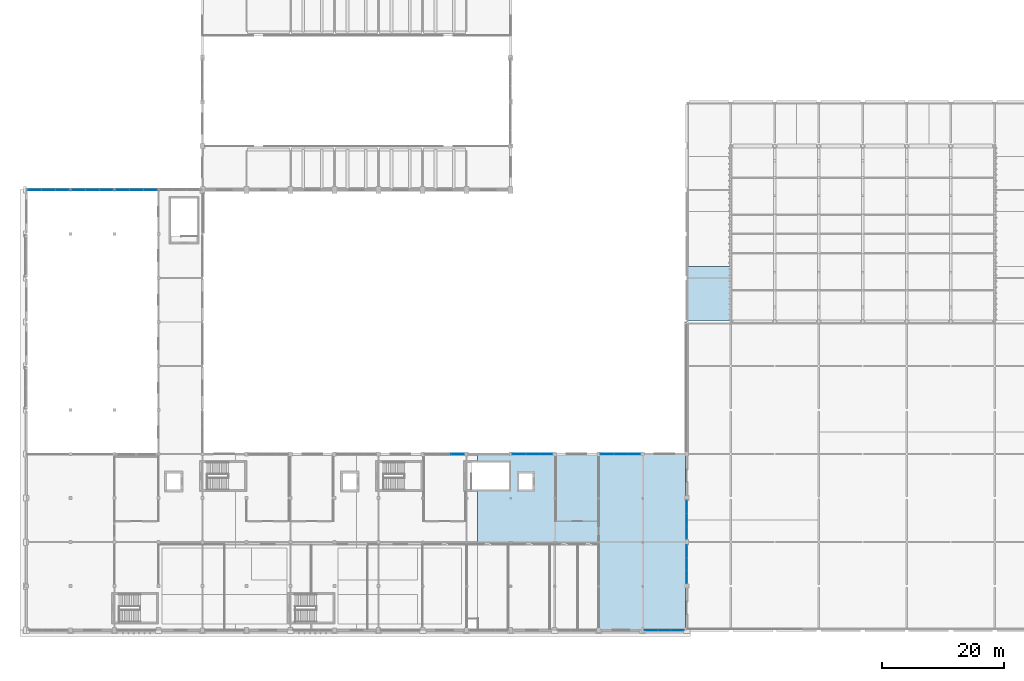
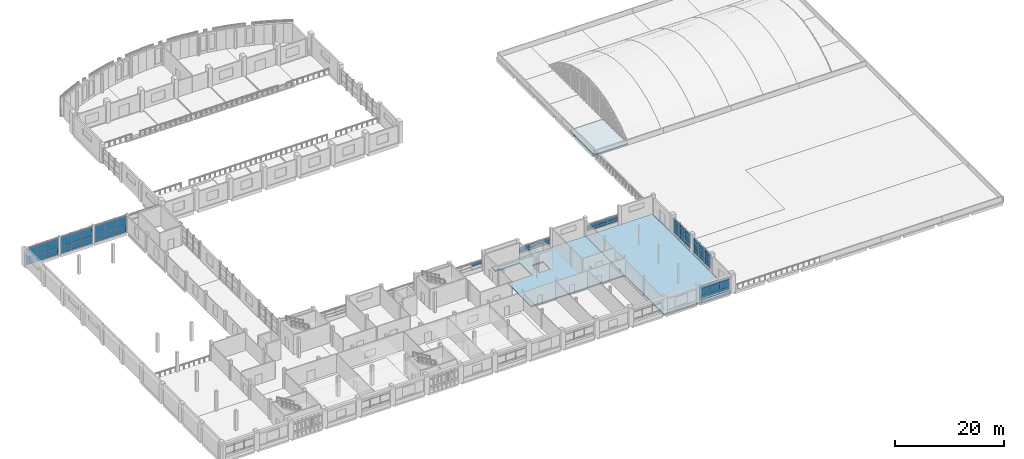
# One storey, part 34 of 71: 58 plates, 3 slabs, 9 elements without a shape of their own.
"""IFC4 building model written with IfcOpenShell, lengths in metres."""

from ifc_helpers import new_model, si_unit, direction, frame, origin, origin_2d, place, context, subcontext, project, spatial, polyline, rectangle, outline, extrude, material, layer, layer_set, type_object, element, aggregate, save


model = new_model("IFC4")

# Units and contexts
model_context = context("Model", 3, precision=1e-05, world=origin(), true_north=direction((0.0, 1.0)))
body_context = subcontext(model_context, "Body", "Model", "MODEL_VIEW")
ifc_project = project(units=[si_unit("LENGTHUNIT", "METRE"), si_unit("AREAUNIT", "SQUARE_METRE"), si_unit("VOLUMEUNIT", "CUBIC_METRE"), si_unit("PLANEANGLEUNIT", "RADIAN"), si_unit("MASSUNIT", "GRAM", prefix="KILO")], contexts=[model_context])

# Site, building, storey
site_placement = place(None, origin())
site = spatial("IfcSite", under=ifc_project, at=site_placement, CompositionType="ELEMENT")
building_placement = place(site_placement, origin())
building = spatial("IfcBuilding", under=site, at=building_placement, Name="Sardonyx Promenade Sports Hall", CompositionType="ELEMENT")
storey_placement = place(building_placement, frame((0.0, 0.0, 16.0)))
storey = spatial("IfcBuildingStorey", under=building, at=storey_placement, Name="L03", CompositionType="ELEMENT", Elevation=16.0)

# Curtain wall, plates
ifc_material_1 = material(Name="Aluminium 6063-T6", Category="aluminium")
curtain_wall_type_1 = type_object("IfcCurtainWallType", Name="CW_South_L03_640", PredefinedType="USERDEFINED", material=ifc_material_1)
curtain_wall_1_placement = place(storey_placement, origin())
curtain_wall_1 = element("IfcCurtainWall", 1, at=curtain_wall_1_placement, inside=storey, type_object=curtain_wall_type_1, Name="Curtain wall CW14 cw:L03:041", ObjectType="CURTAIN WALL", PredefinedType="USERDEFINED")
ifc_material_2 = material(Name="Double-glazed solar low-E IGU 28 mm", Category="glass")
ifc_layer_1 = layer(ifc_material_2, 0.028076171875)
ifc_layer_set_1 = layer_set([ifc_layer_1], Name="CW_Pan_Glz_28")
plate_type_1 = type_object("IfcPlateType", Name="CW_Pan_Glz_28", PredefinedType="CURTAIN_PANEL", material=ifc_layer_set_1)
plate_1_placement = place(storey_placement, frame((106.4833984375, 0.0, 0.409912109375), z_axis=(0.0, 0.0, 1.0), x_axis=(-1.0, 0.0, 0.0)))
plate_1 = element("IfcPlate", 2, at=plate_1_placement, type_object=plate_type_1, Name="Curtain panel CP01 cw:L03:041 #1", PredefinedType="CURTAIN_PANEL", context=body_context, shape_type="SweptSolid", body=[
    extrude(rectangle(XDim=2.0732421875, YDim=0.028076171875, at=origin_2d()), origin(), (0.0, 0.0, 1.0), 0.81005859375),
])
plate_2_placement = place(storey_placement, frame((106.4833984375, 0.0, 1.27978515625), z_axis=(0.0, 0.0, 1.0), x_axis=(-1.0, 0.0, 0.0)))
plate_2 = element("IfcPlate", 3, at=plate_2_placement, type_object=plate_type_1, Name="Curtain panel CP01 cw:L03:041 #2", PredefinedType="CURTAIN_PANEL", context=body_context, shape_type="SweptSolid", body=[
    extrude(rectangle(XDim=2.0732421875, YDim=0.028076171875, at=origin_2d()), origin(), (0.0, 0.0, 1.0), 1.489990234375),
])
plate_3_placement = place(storey_placement, frame((106.4833984375, 0.0, 2.830078125), z_axis=(0.0, 0.0, 1.0), x_axis=(-1.0, 0.0, 0.0)))
plate_3 = element("IfcPlate", 4, at=plate_3_placement, type_object=plate_type_1, Name="Curtain panel CP01 cw:L03:041 #3", PredefinedType="CURTAIN_PANEL", context=body_context, shape_type="SweptSolid", body=[
    extrude(rectangle(XDim=2.0732421875, YDim=0.028076171875, at=origin_2d()), origin(), (0.0, 0.0, 1.0), 0.784912109375),
])
plate_4_placement = place(storey_placement, frame((104.35009765625, 0.0, 0.409912109375), z_axis=(0.0, 0.0, 1.0), x_axis=(-1.0, 0.0, 0.0)))
plate_4 = element("IfcPlate", 5, at=plate_4_placement, type_object=plate_type_1, Name="Curtain panel CP01 cw:L03:041 #4", PredefinedType="CURTAIN_PANEL", context=body_context, shape_type="SweptSolid", body=[
    extrude(rectangle(XDim=2.0732421875, YDim=0.028076171875, at=origin_2d()), origin(), (0.0, 0.0, 1.0), 0.81005859375),
])
plate_5_placement = place(storey_placement, frame((104.35009765625, 0.0, 1.27978515625), z_axis=(0.0, 0.0, 1.0), x_axis=(-1.0, 0.0, 0.0)))
plate_5 = element("IfcPlate", 6, at=plate_5_placement, type_object=plate_type_1, Name="Curtain panel CP01 cw:L03:041 #5", PredefinedType="CURTAIN_PANEL", context=body_context, shape_type="SweptSolid", body=[
    extrude(rectangle(XDim=2.0732421875, YDim=0.028076171875, at=origin_2d()), origin(), (0.0, 0.0, 1.0), 1.489990234375),
])
plate_6_placement = place(storey_placement, frame((104.35009765625, 0.0, 2.830078125), z_axis=(0.0, 0.0, 1.0), x_axis=(-1.0, 0.0, 0.0)))
plate_6 = element("IfcPlate", 7, at=plate_6_placement, type_object=plate_type_1, Name="Curtain panel CP01 cw:L03:041 #6", PredefinedType="CURTAIN_PANEL", context=body_context, shape_type="SweptSolid", body=[
    extrude(rectangle(XDim=2.0732421875, YDim=0.028076171875, at=origin_2d()), origin(), (0.0, 0.0, 1.0), 0.784912109375),
])
plate_7_placement = place(storey_placement, frame((102.216552734375, 0.0, 0.409912109375), z_axis=(0.0, 0.0, 1.0), x_axis=(-1.0, 0.0, 0.0)))
plate_7 = element("IfcPlate", 8, at=plate_7_placement, type_object=plate_type_1, Name="Curtain panel CP01 cw:L03:041 #7", PredefinedType="CURTAIN_PANEL", context=body_context, shape_type="SweptSolid", body=[
    extrude(rectangle(XDim=2.0732421875, YDim=0.028076171875, at=origin_2d()), origin(), (0.0, 0.0, 1.0), 0.81005859375),
])
plate_8_placement = place(storey_placement, frame((102.216552734375, 0.0, 1.27978515625), z_axis=(0.0, 0.0, 1.0), x_axis=(-1.0, 0.0, 0.0)))
plate_8 = element("IfcPlate", 9, at=plate_8_placement, type_object=plate_type_1, Name="Curtain panel CP01 cw:L03:041 #8", PredefinedType="CURTAIN_PANEL", context=body_context, shape_type="SweptSolid", body=[
    extrude(rectangle(XDim=2.0732421875, YDim=0.028076171875, at=origin_2d()), origin(), (0.0, 0.0, 1.0), 1.489990234375),
])
plate_9_placement = place(storey_placement, frame((102.216552734375, 0.0, 2.830078125), z_axis=(0.0, 0.0, 1.0), x_axis=(-1.0, 0.0, 0.0)))
plate_9 = element("IfcPlate", 10, at=plate_9_placement, type_object=plate_type_1, Name="Curtain panel CP01 cw:L03:041 #9", PredefinedType="CURTAIN_PANEL", context=body_context, shape_type="SweptSolid", body=[
    extrude(rectangle(XDim=2.0732421875, YDim=0.028076171875, at=origin_2d()), origin(), (0.0, 0.0, 1.0), 0.784912109375),
])
aggregate(curtain_wall_1, [plate_1, plate_2, plate_3, plate_4, plate_5, plate_6, plate_7, plate_8, plate_9])

curtain_wall_2_placement = place(storey_placement, origin())
curtain_wall_2 = element("IfcCurtainWall", 11, at=curtain_wall_2_placement, inside=storey, type_object=curtain_wall_type_1, Name="Curtain wall CW14 cw:L03:161", ObjectType="CURTAIN WALL", PredefinedType="USERDEFINED")
plate_10_placement = place(storey_placement, frame((108.0, 20.1083984375, 0.409912109375), z_axis=(0.0, 0.0, 1.0), x_axis=(0.0, -1.0, 0.0)))
plate_10 = element("IfcPlate", 12, at=plate_10_placement, type_object=plate_type_1, Name="Curtain panel CP01 cw:L03:161 #1", PredefinedType="CURTAIN_PANEL", context=body_context, shape_type="SweptSolid", body=[
    extrude(rectangle(XDim=2.0234375, YDim=0.028076171875, at=origin_2d()), origin(), (0.0, 0.0, 1.0), 0.81005859375),
])
plate_11_placement = place(storey_placement, frame((108.0, 20.1083984375, 1.27978515625), z_axis=(0.0, 0.0, 1.0), x_axis=(0.0, -1.0, 0.0)))
plate_11 = element("IfcPlate", 13, at=plate_11_placement, type_object=plate_type_1, Name="Curtain panel CP01 cw:L03:161 #2", PredefinedType="CURTAIN_PANEL", context=body_context, shape_type="SweptSolid", body=[
    extrude(rectangle(XDim=2.0234375, YDim=0.028076171875, at=origin_2d()), origin(), (0.0, 0.0, 1.0), 1.489990234375),
])
plate_12_placement = place(storey_placement, frame((108.0, 20.1083984375, 2.830078125), z_axis=(0.0, 0.0, 1.0), x_axis=(0.0, -1.0, 0.0)))
plate_12 = element("IfcPlate", 14, at=plate_12_placement, type_object=plate_type_1, Name="Curtain panel CP01 cw:L03:161 #3", PredefinedType="CURTAIN_PANEL", context=body_context, shape_type="SweptSolid", body=[
    extrude(rectangle(XDim=2.0234375, YDim=0.028076171875, at=origin_2d()), origin(), (0.0, 0.0, 1.0), 0.784912109375),
])
plate_13_placement = place(storey_placement, frame((108.0, 18.02490234375, 0.409912109375), z_axis=(0.0, 0.0, 1.0), x_axis=(0.0, -1.0, 0.0)))
plate_13 = element("IfcPlate", 15, at=plate_13_placement, type_object=plate_type_1, Name="Curtain panel CP01 cw:L03:161 #4", PredefinedType="CURTAIN_PANEL", context=body_context, shape_type="SweptSolid", body=[
    extrude(rectangle(XDim=2.0234375, YDim=0.028076171875, at=origin_2d()), origin(), (0.0, 0.0, 1.0), 0.81005859375),
])
plate_14_placement = place(storey_placement, frame((108.0, 18.02490234375, 1.27978515625), z_axis=(0.0, 0.0, 1.0), x_axis=(0.0, -1.0, 0.0)))
plate_14 = element("IfcPlate", 16, at=plate_14_placement, type_object=plate_type_1, Name="Curtain panel CP01 cw:L03:161 #5", PredefinedType="CURTAIN_PANEL", context=body_context, shape_type="SweptSolid", body=[
    extrude(rectangle(XDim=2.0234375, YDim=0.028076171875, at=origin_2d()), origin(), (0.0, 0.0, 1.0), 1.489990234375),
])
plate_15_placement = place(storey_placement, frame((108.0, 18.02490234375, 2.830078125), z_axis=(0.0, 0.0, 1.0), x_axis=(0.0, -1.0, 0.0)))
plate_15 = element("IfcPlate", 17, at=plate_15_placement, type_object=plate_type_1, Name="Curtain panel CP01 cw:L03:161 #6", PredefinedType="CURTAIN_PANEL", context=body_context, shape_type="SweptSolid", body=[
    extrude(rectangle(XDim=2.0234375, YDim=0.028076171875, at=origin_2d()), origin(), (0.0, 0.0, 1.0), 0.784912109375),
])
plate_16_placement = place(storey_placement, frame((108.0, 15.941650390625, 0.409912109375), z_axis=(0.0, 0.0, 1.0), x_axis=(0.0, -1.0, 0.0)))
plate_16 = element("IfcPlate", 18, at=plate_16_placement, type_object=plate_type_1, Name="Curtain panel CP01 cw:L03:161 #7", PredefinedType="CURTAIN_PANEL", context=body_context, shape_type="SweptSolid", body=[
    extrude(rectangle(XDim=2.0234375, YDim=0.028076171875, at=origin_2d()), origin(), (0.0, 0.0, 1.0), 0.81005859375),
])
plate_17_placement = place(storey_placement, frame((108.0, 15.941650390625, 1.27978515625), z_axis=(0.0, 0.0, 1.0), x_axis=(0.0, -1.0, 0.0)))
plate_17 = element("IfcPlate", 19, at=plate_17_placement, type_object=plate_type_1, Name="Curtain panel CP01 cw:L03:161 #8", PredefinedType="CURTAIN_PANEL", context=body_context, shape_type="SweptSolid", body=[
    extrude(rectangle(XDim=2.0234375, YDim=0.028076171875, at=origin_2d()), origin(), (0.0, 0.0, 1.0), 1.489990234375),
])
plate_18_placement = place(storey_placement, frame((108.0, 15.941650390625, 2.830078125), z_axis=(0.0, 0.0, 1.0), x_axis=(0.0, -1.0, 0.0)))
plate_18 = element("IfcPlate", 20, at=plate_18_placement, type_object=plate_type_1, Name="Curtain panel CP01 cw:L03:161 #9", PredefinedType="CURTAIN_PANEL", context=body_context, shape_type="SweptSolid", body=[
    extrude(rectangle(XDim=2.0234375, YDim=0.028076171875, at=origin_2d()), origin(), (0.0, 0.0, 1.0), 0.784912109375),
])
aggregate(curtain_wall_2, [plate_10, plate_11, plate_12, plate_13, plate_14, plate_15, plate_16, plate_17, plate_18])

curtain_wall_3_placement = place(storey_placement, origin())
curtain_wall_3 = element("IfcCurtainWall", 21, at=curtain_wall_3_placement, inside=storey, type_object=curtain_wall_type_1, Name="Curtain wall CW14 cw:L03:162", ObjectType="CURTAIN WALL", PredefinedType="USERDEFINED")
plate_19_placement = place(storey_placement, frame((108.0, 12.85009765625, 0.409912109375), z_axis=(0.0, 0.0, 1.0), x_axis=(0.0, -1.0, 0.0)))
plate_19 = element("IfcPlate", 22, at=plate_19_placement, type_object=plate_type_1, Name="Curtain panel CP01 cw:L03:162 #1", PredefinedType="CURTAIN_PANEL", context=body_context, shape_type="SweptSolid", body=[
    extrude(rectangle(XDim=2.0400390625, YDim=0.028076171875, at=origin_2d()), origin(), (0.0, 0.0, 1.0), 0.81005859375),
])
plate_20_placement = place(storey_placement, frame((108.0, 12.85009765625, 1.27978515625), z_axis=(0.0, 0.0, 1.0), x_axis=(0.0, -1.0, 0.0)))
plate_20 = element("IfcPlate", 23, at=plate_20_placement, type_object=plate_type_1, Name="Curtain panel CP01 cw:L03:162 #2", PredefinedType="CURTAIN_PANEL", context=body_context, shape_type="SweptSolid", body=[
    extrude(rectangle(XDim=2.0400390625, YDim=0.028076171875, at=origin_2d()), origin(), (0.0, 0.0, 1.0), 1.489990234375),
])
plate_21_placement = place(storey_placement, frame((108.0, 12.85009765625, 2.830078125), z_axis=(0.0, 0.0, 1.0), x_axis=(0.0, -1.0, 0.0)))
plate_21 = element("IfcPlate", 24, at=plate_21_placement, type_object=plate_type_1, Name="Curtain panel CP01 cw:L03:162 #3", PredefinedType="CURTAIN_PANEL", context=body_context, shape_type="SweptSolid", body=[
    extrude(rectangle(XDim=2.0400390625, YDim=0.028076171875, at=origin_2d()), origin(), (0.0, 0.0, 1.0), 0.784912109375),
])
plate_22_placement = place(storey_placement, frame((108.0, 10.75, 0.409912109375), z_axis=(0.0, 0.0, 1.0), x_axis=(0.0, -1.0, 0.0)))
plate_22 = element("IfcPlate", 25, at=plate_22_placement, type_object=plate_type_1, Name="Curtain panel CP01 cw:L03:162 #4", PredefinedType="CURTAIN_PANEL", context=body_context, shape_type="SweptSolid", body=[
    extrude(rectangle(XDim=2.0400390625, YDim=0.028076171875, at=origin_2d()), origin(), (0.0, 0.0, 1.0), 0.81005859375),
])
plate_23_placement = place(storey_placement, frame((108.0, 10.75, 1.27978515625), z_axis=(0.0, 0.0, 1.0), x_axis=(0.0, -1.0, 0.0)))
plate_23 = element("IfcPlate", 26, at=plate_23_placement, type_object=plate_type_1, Name="Curtain panel CP01 cw:L03:162 #5", PredefinedType="CURTAIN_PANEL", context=body_context, shape_type="SweptSolid", body=[
    extrude(rectangle(XDim=2.0400390625, YDim=0.028076171875, at=origin_2d()), origin(), (0.0, 0.0, 1.0), 1.489990234375),
])
plate_24_placement = place(storey_placement, frame((108.0, 10.75, 2.830078125), z_axis=(0.0, 0.0, 1.0), x_axis=(0.0, -1.0, 0.0)))
plate_24 = element("IfcPlate", 27, at=plate_24_placement, type_object=plate_type_1, Name="Curtain panel CP01 cw:L03:162 #6", PredefinedType="CURTAIN_PANEL", context=body_context, shape_type="SweptSolid", body=[
    extrude(rectangle(XDim=2.0400390625, YDim=0.028076171875, at=origin_2d()), origin(), (0.0, 0.0, 1.0), 0.784912109375),
])
plate_25_placement = place(storey_placement, frame((108.0, 8.64990234375, 0.409912109375), z_axis=(0.0, 0.0, 1.0), x_axis=(0.0, -1.0, 0.0)))
plate_25 = element("IfcPlate", 28, at=plate_25_placement, type_object=plate_type_1, Name="Curtain panel CP01 cw:L03:162 #7", PredefinedType="CURTAIN_PANEL", context=body_context, shape_type="SweptSolid", body=[
    extrude(rectangle(XDim=2.0400390625, YDim=0.028076171875, at=origin_2d()), origin(), (0.0, 0.0, 1.0), 0.81005859375),
])
plate_26_placement = place(storey_placement, frame((108.0, 8.64990234375, 1.27978515625), z_axis=(0.0, 0.0, 1.0), x_axis=(0.0, -1.0, 0.0)))
plate_26 = element("IfcPlate", 29, at=plate_26_placement, type_object=plate_type_1, Name="Curtain panel CP01 cw:L03:162 #8", PredefinedType="CURTAIN_PANEL", context=body_context, shape_type="SweptSolid", body=[
    extrude(rectangle(XDim=2.0400390625, YDim=0.028076171875, at=origin_2d()), origin(), (0.0, 0.0, 1.0), 1.489990234375),
])
plate_27_placement = place(storey_placement, frame((108.0, 8.64990234375, 2.830078125), z_axis=(0.0, 0.0, 1.0), x_axis=(0.0, -1.0, 0.0)))
plate_27 = element("IfcPlate", 30, at=plate_27_placement, type_object=plate_type_1, Name="Curtain panel CP01 cw:L03:162 #9", PredefinedType="CURTAIN_PANEL", context=body_context, shape_type="SweptSolid", body=[
    extrude(rectangle(XDim=2.0400390625, YDim=0.028076171875, at=origin_2d()), origin(), (0.0, 0.0, 1.0), 0.784912109375),
])
aggregate(curtain_wall_3, [plate_19, plate_20, plate_21, plate_22, plate_23, plate_24, plate_25, plate_26, plate_27])

ifc_material_3 = material(Name="Aluminium 6063-T6", Category="aluminium")
curtain_wall_type_2 = type_object("IfcCurtainWallType", Name="CW_Climb_Clerestory", PredefinedType="USERDEFINED", material=ifc_material_3)
curtain_wall_4_placement = place(storey_placement, origin())
curtain_wall_4 = element("IfcCurtainWall", 31, at=curtain_wall_4_placement, inside=storey, type_object=curtain_wall_type_2, Name="Curtain wall CW12 cw:L03:080", ObjectType="CURTAIN WALL", PredefinedType="USERDEFINED")
ifc_material_4 = material(Name="Laminated safety sports IGU 36 mm", Category="glass")
ifc_layer_2 = layer(ifc_material_4, 0.035888671875)
ifc_layer_set_2 = layer_set([ifc_layer_2], Name="CW_Pan_Glz_36")
plate_type_2 = type_object("IfcPlateType", Name="CW_Pan_Glz_36", PredefinedType="CURTAIN_PANEL", material=ifc_layer_set_2)
plate_28_placement = place(storey_placement, frame((1.3349609375, 72.0, 0.06494140625), z_axis=(0.0, 0.0, 1.0), x_axis=(1.0, 0.0, 0.0)))
plate_28 = element("IfcPlate", 32, at=plate_28_placement, type_object=plate_type_2, Name="Curtain panel CP03 cw:L03:080 #1", PredefinedType="CURTAIN_PANEL", context=body_context, shape_type="SweptSolid", body=[
    extrude(rectangle(XDim=2.199951171875, YDim=0.035888671875, at=origin_2d()), origin(), (0.0, 0.0, 1.0), 1.50244140625),
])
plate_29_placement = place(storey_placement, frame((1.3349609375, 72.0, 1.632568359375), z_axis=(0.0, 0.0, 1.0), x_axis=(1.0, 0.0, 0.0)))
plate_29 = element("IfcPlate", 33, at=plate_29_placement, type_object=plate_type_2, Name="Curtain panel CP03 cw:L03:080 #2", PredefinedType="CURTAIN_PANEL", context=body_context, shape_type="SweptSolid", body=[
    extrude(rectangle(XDim=2.199951171875, YDim=0.035888671875, at=origin_2d()), origin(), (0.0, 0.0, 1.0), 2.0224609375),
])
plate_30_placement = place(storey_placement, frame((3.60009765625, 72.0, 0.06494140625), z_axis=(0.0, 0.0, 1.0), x_axis=(1.0, 0.0, 0.0)))
plate_30 = element("IfcPlate", 34, at=plate_30_placement, type_object=plate_type_2, Name="Curtain panel CP03 cw:L03:080 #3", PredefinedType="CURTAIN_PANEL", context=body_context, shape_type="SweptSolid", body=[
    extrude(rectangle(XDim=2.199951171875, YDim=0.035888671875, at=origin_2d()), origin(), (0.0, 0.0, 1.0), 1.50244140625),
])
plate_31_placement = place(storey_placement, frame((3.60009765625, 72.0, 1.632568359375), z_axis=(0.0, 0.0, 1.0), x_axis=(1.0, 0.0, 0.0)))
plate_31 = element("IfcPlate", 35, at=plate_31_placement, type_object=plate_type_2, Name="Curtain panel CP03 cw:L03:080 #4", PredefinedType="CURTAIN_PANEL", context=body_context, shape_type="SweptSolid", body=[
    extrude(rectangle(XDim=2.199951171875, YDim=0.035888671875, at=origin_2d()), origin(), (0.0, 0.0, 1.0), 2.0224609375),
])
plate_32_placement = place(storey_placement, frame((5.864990234375, 72.0, 0.06494140625), z_axis=(0.0, 0.0, 1.0), x_axis=(1.0, 0.0, 0.0)))
plate_32 = element("IfcPlate", 36, at=plate_32_placement, type_object=plate_type_2, Name="Curtain panel CP03 cw:L03:080 #5", PredefinedType="CURTAIN_PANEL", context=body_context, shape_type="SweptSolid", body=[
    extrude(rectangle(XDim=2.199951171875, YDim=0.035888671875, at=origin_2d()), origin(), (0.0, 0.0, 1.0), 1.50244140625),
])
plate_33_placement = place(storey_placement, frame((5.864990234375, 72.0, 1.632568359375), z_axis=(0.0, 0.0, 1.0), x_axis=(1.0, 0.0, 0.0)))
plate_33 = element("IfcPlate", 37, at=plate_33_placement, type_object=plate_type_2, Name="Curtain panel CP03 cw:L03:080 #6", PredefinedType="CURTAIN_PANEL", context=body_context, shape_type="SweptSolid", body=[
    extrude(rectangle(XDim=2.199951171875, YDim=0.035888671875, at=origin_2d()), origin(), (0.0, 0.0, 1.0), 2.0224609375),
])
aggregate(curtain_wall_4, [plate_28, plate_29, plate_30, plate_31, plate_32, plate_33])

curtain_wall_5_placement = place(storey_placement, origin())
curtain_wall_5 = element("IfcCurtainWall", 38, at=curtain_wall_5_placement, inside=storey, type_object=curtain_wall_type_2, Name="Curtain wall CW12 cw:L03:081", ObjectType="CURTAIN WALL", PredefinedType="USERDEFINED")
plate_34_placement = place(storey_placement, frame((8.534912109375, 72.0, 0.06494140625), z_axis=(0.0, 0.0, 1.0), x_axis=(1.0, 0.0, 0.0)))
plate_34 = element("IfcPlate", 39, at=plate_34_placement, type_object=plate_type_2, Name="Curtain panel CP03 cw:L03:081 #1", PredefinedType="CURTAIN_PANEL", context=body_context, shape_type="SweptSolid", body=[
    extrude(rectangle(XDim=2.199951171875, YDim=0.035888671875, at=origin_2d()), origin(), (0.0, 0.0, 1.0), 1.50244140625),
])
plate_35_placement = place(storey_placement, frame((8.534912109375, 72.0, 1.632568359375), z_axis=(0.0, 0.0, 1.0), x_axis=(1.0, 0.0, 0.0)))
plate_35 = element("IfcPlate", 40, at=plate_35_placement, type_object=plate_type_2, Name="Curtain panel CP03 cw:L03:081 #2", PredefinedType="CURTAIN_PANEL", context=body_context, shape_type="SweptSolid", body=[
    extrude(rectangle(XDim=2.199951171875, YDim=0.035888671875, at=origin_2d()), origin(), (0.0, 0.0, 1.0), 2.0224609375),
])
plate_36_placement = place(storey_placement, frame((10.800048828125, 72.0, 0.06494140625), z_axis=(0.0, 0.0, 1.0), x_axis=(1.0, 0.0, 0.0)))
plate_36 = element("IfcPlate", 41, at=plate_36_placement, type_object=plate_type_2, Name="Curtain panel CP03 cw:L03:081 #3", PredefinedType="CURTAIN_PANEL", context=body_context, shape_type="SweptSolid", body=[
    extrude(rectangle(XDim=2.199951171875, YDim=0.035888671875, at=origin_2d()), origin(), (0.0, 0.0, 1.0), 1.50244140625),
])
plate_37_placement = place(storey_placement, frame((10.800048828125, 72.0, 1.632568359375), z_axis=(0.0, 0.0, 1.0), x_axis=(1.0, 0.0, 0.0)))
plate_37 = element("IfcPlate", 42, at=plate_37_placement, type_object=plate_type_2, Name="Curtain panel CP03 cw:L03:081 #4", PredefinedType="CURTAIN_PANEL", context=body_context, shape_type="SweptSolid", body=[
    extrude(rectangle(XDim=2.199951171875, YDim=0.035888671875, at=origin_2d()), origin(), (0.0, 0.0, 1.0), 2.0224609375),
])
plate_38_placement = place(storey_placement, frame((13.06494140625, 72.0, 0.06494140625), z_axis=(0.0, 0.0, 1.0), x_axis=(1.0, 0.0, 0.0)))
plate_38 = element("IfcPlate", 43, at=plate_38_placement, type_object=plate_type_2, Name="Curtain panel CP03 cw:L03:081 #5", PredefinedType="CURTAIN_PANEL", context=body_context, shape_type="SweptSolid", body=[
    extrude(rectangle(XDim=2.199951171875, YDim=0.035888671875, at=origin_2d()), origin(), (0.0, 0.0, 1.0), 1.50244140625),
])
plate_39_placement = place(storey_placement, frame((13.06494140625, 72.0, 1.632568359375), z_axis=(0.0, 0.0, 1.0), x_axis=(1.0, 0.0, 0.0)))
plate_39 = element("IfcPlate", 44, at=plate_39_placement, type_object=plate_type_2, Name="Curtain panel CP03 cw:L03:081 #6", PredefinedType="CURTAIN_PANEL", context=body_context, shape_type="SweptSolid", body=[
    extrude(rectangle(XDim=2.199951171875, YDim=0.035888671875, at=origin_2d()), origin(), (0.0, 0.0, 1.0), 2.0224609375),
])
aggregate(curtain_wall_5, [plate_34, plate_35, plate_36, plate_37, plate_38, plate_39])

curtain_wall_6_placement = place(storey_placement, origin())
curtain_wall_6 = element("IfcCurtainWall", 45, at=curtain_wall_6_placement, inside=storey, type_object=curtain_wall_type_2, Name="Curtain wall CW12 cw:L03:082", ObjectType="CURTAIN WALL", PredefinedType="USERDEFINED")
plate_40_placement = place(storey_placement, frame((15.735107421875, 72.0, 0.06494140625), z_axis=(0.0, 0.0, 1.0), x_axis=(1.0, 0.0, 0.0)))
plate_40 = element("IfcPlate", 46, at=plate_40_placement, type_object=plate_type_2, Name="Curtain panel CP03 cw:L03:082 #1", PredefinedType="CURTAIN_PANEL", context=body_context, shape_type="SweptSolid", body=[
    extrude(rectangle(XDim=2.199951171875, YDim=0.035888671875, at=origin_2d()), origin(), (0.0, 0.0, 1.0), 1.50244140625),
])
plate_41_placement = place(storey_placement, frame((15.735107421875, 72.0, 1.632568359375), z_axis=(0.0, 0.0, 1.0), x_axis=(1.0, 0.0, 0.0)))
plate_41 = element("IfcPlate", 47, at=plate_41_placement, type_object=plate_type_2, Name="Curtain panel CP03 cw:L03:082 #2", PredefinedType="CURTAIN_PANEL", context=body_context, shape_type="SweptSolid", body=[
    extrude(rectangle(XDim=2.199951171875, YDim=0.035888671875, at=origin_2d()), origin(), (0.0, 0.0, 1.0), 2.0224609375),
])
plate_42_placement = place(storey_placement, frame((18.0, 72.0, 0.06494140625), z_axis=(0.0, 0.0, 1.0), x_axis=(1.0, 0.0, 0.0)))
plate_42 = element("IfcPlate", 48, at=plate_42_placement, type_object=plate_type_2, Name="Curtain panel CP03 cw:L03:082 #3", PredefinedType="CURTAIN_PANEL", context=body_context, shape_type="SweptSolid", body=[
    extrude(rectangle(XDim=2.199951171875, YDim=0.035888671875, at=origin_2d()), origin(), (0.0, 0.0, 1.0), 1.50244140625),
])
plate_43_placement = place(storey_placement, frame((18.0, 72.0, 1.632568359375), z_axis=(0.0, 0.0, 1.0), x_axis=(1.0, 0.0, 0.0)))
plate_43 = element("IfcPlate", 49, at=plate_43_placement, type_object=plate_type_2, Name="Curtain panel CP03 cw:L03:082 #4", PredefinedType="CURTAIN_PANEL", context=body_context, shape_type="SweptSolid", body=[
    extrude(rectangle(XDim=2.199951171875, YDim=0.035888671875, at=origin_2d()), origin(), (0.0, 0.0, 1.0), 2.0224609375),
])
plate_44_placement = place(storey_placement, frame((20.264892578125, 72.0, 0.06494140625), z_axis=(0.0, 0.0, 1.0), x_axis=(1.0, 0.0, 0.0)))
plate_44 = element("IfcPlate", 50, at=plate_44_placement, type_object=plate_type_2, Name="Curtain panel CP03 cw:L03:082 #5", PredefinedType="CURTAIN_PANEL", context=body_context, shape_type="SweptSolid", body=[
    extrude(rectangle(XDim=2.199951171875, YDim=0.035888671875, at=origin_2d()), origin(), (0.0, 0.0, 1.0), 1.50244140625),
])
plate_45_placement = place(storey_placement, frame((20.264892578125, 72.0, 1.632568359375), z_axis=(0.0, 0.0, 1.0), x_axis=(1.0, 0.0, 0.0)))
plate_45 = element("IfcPlate", 51, at=plate_45_placement, type_object=plate_type_2, Name="Curtain panel CP03 cw:L03:082 #6", PredefinedType="CURTAIN_PANEL", context=body_context, shape_type="SweptSolid", body=[
    extrude(rectangle(XDim=2.199951171875, YDim=0.035888671875, at=origin_2d()), origin(), (0.0, 0.0, 1.0), 2.0224609375),
])
aggregate(curtain_wall_6, [plate_40, plate_41, plate_42, plate_43, plate_44, plate_45])

# Curtain wall, plate
ifc_material_5 = material(Name="Aluminium 6063-T6", Category="aluminium")
curtain_wall_type_3 = type_object("IfcCurtainWallType", Name="CW_Spandrel_Band", PredefinedType="USERDEFINED", material=ifc_material_5)
curtain_wall_7_placement = place(storey_placement, origin())
curtain_wall_7 = element("IfcCurtainWall", 52, at=curtain_wall_7_placement, inside=storey, type_object=curtain_wall_type_3, Name="Curtain wall CW16 cw:L03:165", ObjectType="CURTAIN WALL", PredefinedType="USERDEFINED")
ifc_material_6 = material(Name="Insulated sandstone-faced spandrel 60 mm", Category="masonry")
ifc_layer_3 = layer(ifc_material_6, 0.06005859375)
ifc_layer_set_3 = layer_set([ifc_layer_3], Name="CW_Pan_Spn_60")
plate_type_3 = type_object("IfcPlateType", Name="CW_Pan_Spn_60", PredefinedType="CURTAIN_PANEL", material=ifc_layer_set_3)
plate_46_placement = place(storey_placement, frame((70.566650390625, 28.800048828125, 1.6298828125), z_axis=(0.0, 0.0, 1.0), x_axis=(1.0, 0.0, 0.0)))
plate_46 = element("IfcPlate", 53, at=plate_46_placement, type_object=plate_type_3, Name="Curtain panel CP06 cw:L03:165 #6", PredefinedType="CURTAIN_PANEL", context=body_context, shape_type="SweptSolid", body=[
    extrude(rectangle(XDim=2.106689453125, YDim=0.06005859375, at=origin_2d()), origin(), (0.0, 0.0, 1.0), 0.610107421875),
])
aggregate(curtain_wall_7, [plate_46])

# Curtain wall, plates
curtain_wall_8_placement = place(storey_placement, origin())
curtain_wall_8 = element("IfcCurtainWall", 54, at=curtain_wall_8_placement, inside=storey, type_object=curtain_wall_type_3, Name="Curtain wall CW16 cw:L03:166", ObjectType="CURTAIN WALL", PredefinedType="USERDEFINED")
plate_47_placement = place(storey_placement, frame((80.63330078125, 28.800048828125, 0.9599609375), z_axis=(0.0, 0.0, 1.0), x_axis=(1.0, 0.0, 0.0)))
plate_47 = element("IfcPlate", 55, at=plate_47_placement, type_object=plate_type_3, Name="Curtain panel CP06 cw:L03:166 #1", PredefinedType="CURTAIN_PANEL", context=body_context, shape_type="SweptSolid", body=[
    extrude(rectangle(XDim=2.106689453125, YDim=0.06005859375, at=origin_2d()), origin(), (0.0, 0.0, 1.0), 0.610107421875),
])
plate_48_placement = place(storey_placement, frame((80.63330078125, 28.800048828125, 1.6298828125), z_axis=(0.0, 0.0, 1.0), x_axis=(1.0, 0.0, 0.0)))
plate_48 = element("IfcPlate", 56, at=plate_48_placement, type_object=plate_type_3, Name="Curtain panel CP06 cw:L03:166 #2", PredefinedType="CURTAIN_PANEL", context=body_context, shape_type="SweptSolid", body=[
    extrude(rectangle(XDim=2.106689453125, YDim=0.06005859375, at=origin_2d()), origin(), (0.0, 0.0, 1.0), 0.610107421875),
])
plate_49_placement = place(storey_placement, frame((82.800048828125, 28.800048828125, 0.9599609375), z_axis=(0.0, 0.0, 1.0), x_axis=(1.0, 0.0, 0.0)))
plate_49 = element("IfcPlate", 57, at=plate_49_placement, type_object=plate_type_3, Name="Curtain panel CP06 cw:L03:166 #3", PredefinedType="CURTAIN_PANEL", context=body_context, shape_type="SweptSolid", body=[
    extrude(rectangle(XDim=2.106689453125, YDim=0.06005859375, at=origin_2d()), origin(), (0.0, 0.0, 1.0), 0.610107421875),
])
plate_50_placement = place(storey_placement, frame((82.800048828125, 28.800048828125, 1.6298828125), z_axis=(0.0, 0.0, 1.0), x_axis=(1.0, 0.0, 0.0)))
plate_50 = element("IfcPlate", 58, at=plate_50_placement, type_object=plate_type_3, Name="Curtain panel CP06 cw:L03:166 #4", PredefinedType="CURTAIN_PANEL", context=body_context, shape_type="SweptSolid", body=[
    extrude(rectangle(XDim=2.106689453125, YDim=0.06005859375, at=origin_2d()), origin(), (0.0, 0.0, 1.0), 0.610107421875),
])
plate_51_placement = place(storey_placement, frame((84.966552734375, 28.800048828125, 0.9599609375), z_axis=(0.0, 0.0, 1.0), x_axis=(1.0, 0.0, 0.0)))
plate_51 = element("IfcPlate", 59, at=plate_51_placement, type_object=plate_type_3, Name="Curtain panel CP06 cw:L03:166 #5", PredefinedType="CURTAIN_PANEL", context=body_context, shape_type="SweptSolid", body=[
    extrude(rectangle(XDim=2.106689453125, YDim=0.06005859375, at=origin_2d()), origin(), (0.0, 0.0, 1.0), 0.610107421875),
])
plate_52_placement = place(storey_placement, frame((84.966552734375, 28.800048828125, 1.6298828125), z_axis=(0.0, 0.0, 1.0), x_axis=(1.0, 0.0, 0.0)))
plate_52 = element("IfcPlate", 60, at=plate_52_placement, type_object=plate_type_3, Name="Curtain panel CP06 cw:L03:166 #6", PredefinedType="CURTAIN_PANEL", context=body_context, shape_type="SweptSolid", body=[
    extrude(rectangle(XDim=2.106689453125, YDim=0.06005859375, at=origin_2d()), origin(), (0.0, 0.0, 1.0), 0.610107421875),
])
aggregate(curtain_wall_8, [plate_47, plate_48, plate_49, plate_50, plate_51, plate_52])

curtain_wall_9_placement = place(storey_placement, origin())
curtain_wall_9 = element("IfcCurtainWall", 61, at=curtain_wall_9_placement, inside=storey, type_object=curtain_wall_type_3, Name="Curtain wall CW16 cw:L03:167", ObjectType="CURTAIN WALL", PredefinedType="USERDEFINED")
plate_53_placement = place(storey_placement, frame((95.033447265625, 28.800048828125, 0.9599609375), z_axis=(0.0, 0.0, 1.0), x_axis=(1.0, 0.0, 0.0)))
plate_53 = element("IfcPlate", 62, at=plate_53_placement, type_object=plate_type_3, Name="Curtain panel CP06 cw:L03:167 #1", PredefinedType="CURTAIN_PANEL", context=body_context, shape_type="SweptSolid", body=[
    extrude(rectangle(XDim=2.106689453125, YDim=0.06005859375, at=origin_2d()), origin(), (0.0, 0.0, 1.0), 0.610107421875),
])
plate_54_placement = place(storey_placement, frame((95.033447265625, 28.800048828125, 1.6298828125), z_axis=(0.0, 0.0, 1.0), x_axis=(1.0, 0.0, 0.0)))
plate_54 = element("IfcPlate", 63, at=plate_54_placement, type_object=plate_type_3, Name="Curtain panel CP06 cw:L03:167 #2", PredefinedType="CURTAIN_PANEL", context=body_context, shape_type="SweptSolid", body=[
    extrude(rectangle(XDim=2.106689453125, YDim=0.06005859375, at=origin_2d()), origin(), (0.0, 0.0, 1.0), 0.610107421875),
])
plate_55_placement = place(storey_placement, frame((97.199951171875, 28.800048828125, 0.9599609375), z_axis=(0.0, 0.0, 1.0), x_axis=(1.0, 0.0, 0.0)))
plate_55 = element("IfcPlate", 64, at=plate_55_placement, type_object=plate_type_3, Name="Curtain panel CP06 cw:L03:167 #3", PredefinedType="CURTAIN_PANEL", context=body_context, shape_type="SweptSolid", body=[
    extrude(rectangle(XDim=2.106689453125, YDim=0.06005859375, at=origin_2d()), origin(), (0.0, 0.0, 1.0), 0.610107421875),
])
plate_56_placement = place(storey_placement, frame((97.199951171875, 28.800048828125, 1.6298828125), z_axis=(0.0, 0.0, 1.0), x_axis=(1.0, 0.0, 0.0)))
plate_56 = element("IfcPlate", 65, at=plate_56_placement, type_object=plate_type_3, Name="Curtain panel CP06 cw:L03:167 #4", PredefinedType="CURTAIN_PANEL", context=body_context, shape_type="SweptSolid", body=[
    extrude(rectangle(XDim=2.106689453125, YDim=0.06005859375, at=origin_2d()), origin(), (0.0, 0.0, 1.0), 0.610107421875),
])
plate_57_placement = place(storey_placement, frame((99.36669921875, 28.800048828125, 0.9599609375), z_axis=(0.0, 0.0, 1.0), x_axis=(1.0, 0.0, 0.0)))
plate_57 = element("IfcPlate", 66, at=plate_57_placement, type_object=plate_type_3, Name="Curtain panel CP06 cw:L03:167 #5", PredefinedType="CURTAIN_PANEL", context=body_context, shape_type="SweptSolid", body=[
    extrude(rectangle(XDim=2.106689453125, YDim=0.06005859375, at=origin_2d()), origin(), (0.0, 0.0, 1.0), 0.610107421875),
])
plate_58_placement = place(storey_placement, frame((99.36669921875, 28.800048828125, 1.6298828125), z_axis=(0.0, 0.0, 1.0), x_axis=(1.0, 0.0, 0.0)))
plate_58 = element("IfcPlate", 67, at=plate_58_placement, type_object=plate_type_3, Name="Curtain panel CP06 cw:L03:167 #6", PredefinedType="CURTAIN_PANEL", context=body_context, shape_type="SweptSolid", body=[
    extrude(rectangle(XDim=2.106689453125, YDim=0.06005859375, at=origin_2d()), origin(), (0.0, 0.0, 1.0), 0.610107421875),
])
aggregate(curtain_wall_9, [plate_53, plate_54, plate_55, plate_56, plate_57, plate_58])

# Slabs
ifc_material_7 = material(Name="Concrete C40/50", Category="concrete")
ifc_layer_4 = layer(ifc_material_7, 0.2900390625)
ifc_layer_set_4 = layer_set([ifc_layer_4], Name="Slab_Ext_Loggia_220")
slab_type_1 = type_object("IfcSlabType", Name="Slab_Ext_Loggia_220", PredefinedType="FLOOR", material=ifc_layer_set_4)
slab_1_placement = place(storey_placement, frame((0.0, 0.0, -0.2900390625)))
element("IfcSlab", 68, at=slab_1_placement, inside=storey, type_object=slab_type_1, Name="Third floor garden verandah L03", PredefinedType="FLOOR", context=body_context, shape_type="SweptSolid", body=[
    extrude(outline(polyline([(93.60009765625, 0.0), (107.800048828125, 0.0), (107.800048828125, 28.800048828125), (93.60009765625, 28.800048828125), (93.60009765625, 0.0)])), origin(), (0.0, 0.0, 1.0), 0.2900390625),
])
ifc_material_8 = material(Name="Concrete C40/50", Category="concrete")
ifc_layer_5 = layer(ifc_material_8, 0.27001953125)
ifc_layer_set_5 = layer_set([ifc_layer_5], Name="Slab_Floor_Studio_250")
slab_type_2 = type_object("IfcSlabType", Name="Slab_Floor_Studio_250", PredefinedType="FLOOR", material=ifc_layer_set_5)
slab_2_placement = place(storey_placement, frame((0.0, 0.0, -0.27001953125)))
element("IfcSlab", 69, at=slab_2_placement, inside=storey, type_object=slab_type_2, Name="Slab FS03 L03 #199", PredefinedType="FLOOR", context=body_context, shape_type="SweptSolid", body=[
    extrude(outline(polyline([(73.800048828125, 28.800048828125), (73.800048828125, 27.47509765625), (78.949951171875, 27.47509765625), (78.949951171875, 22.925048828125), (73.800048828125, 22.925048828125), (73.800048828125, 14.39990234375), (93.60009765625, 14.39990234375), (93.60009765625, 28.800048828125), (73.800048828125, 28.800048828125)]), holes=[polyline([(80.590087890625, 25.610107421875), (82.81005859375, 25.610107421875), (82.81005859375, 22.989990234375), (80.590087890625, 22.989990234375), (80.590087890625, 25.610107421875)])]), origin(), (0.0, 0.0, 1.0), 0.27001953125),
])
ifc_material_9 = material(Name="Concrete C40/50", Category="concrete")
ifc_layer_6 = layer(ifc_material_9, 0.22998046875)
ifc_layer_set_6 = layer_set([ifc_layer_6], Name="Slab_Roof_Flat_230")
slab_type_3 = type_object("IfcSlabType", Name="Slab_Roof_Flat_230", PredefinedType="ROOF", material=ifc_layer_set_6)
slab_3_placement = place(storey_placement, frame((0.0, 0.0, -0.22998046875)))
element("IfcSlab", 70, at=slab_3_placement, inside=storey, type_object=slab_type_3, Name="Slab RS02 L03 #13", PredefinedType="ROOF", context=body_context, shape_type="SweptSolid", body=[
    extrude(outline(polyline([(108.0, 50.550048828125), (115.199951171875, 50.550048828125), (115.199951171875, 59.512451171875), (108.0, 59.512451171875), (108.0, 50.550048828125)])), origin(), (0.0, 0.0, 1.0), 0.22998046875),
])

save(model, "model.ifc")
